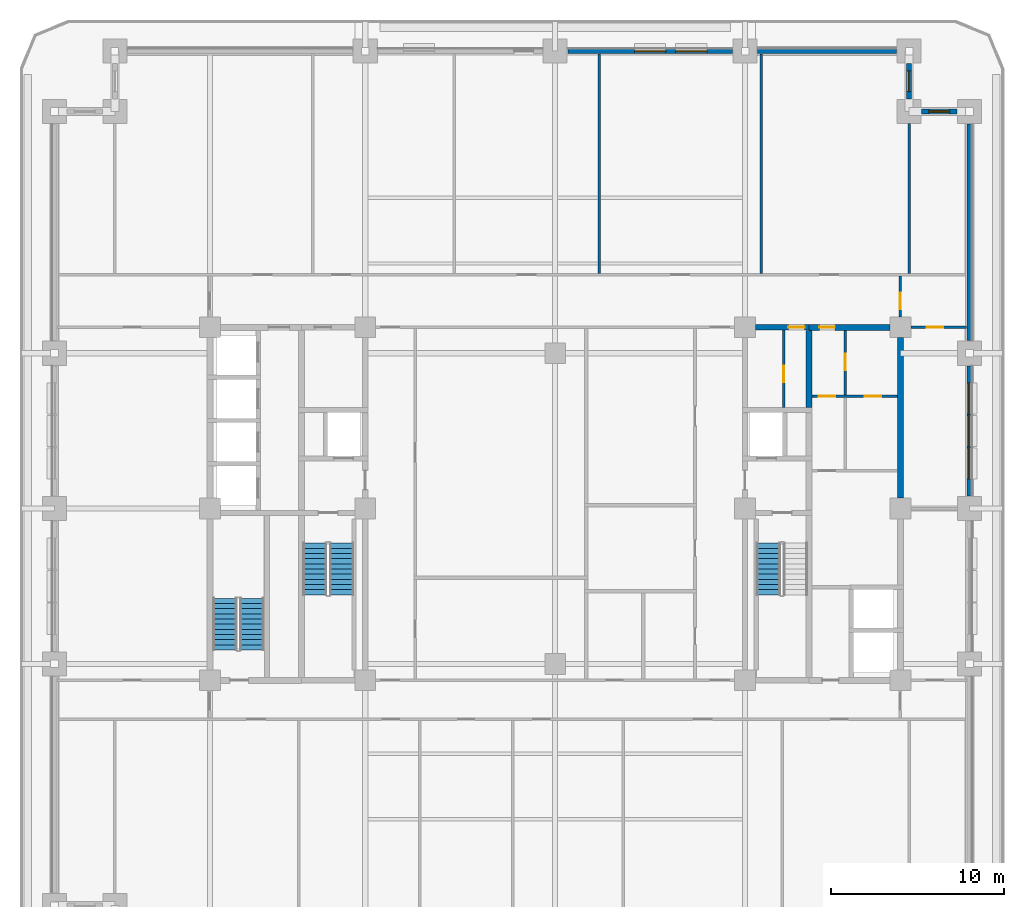
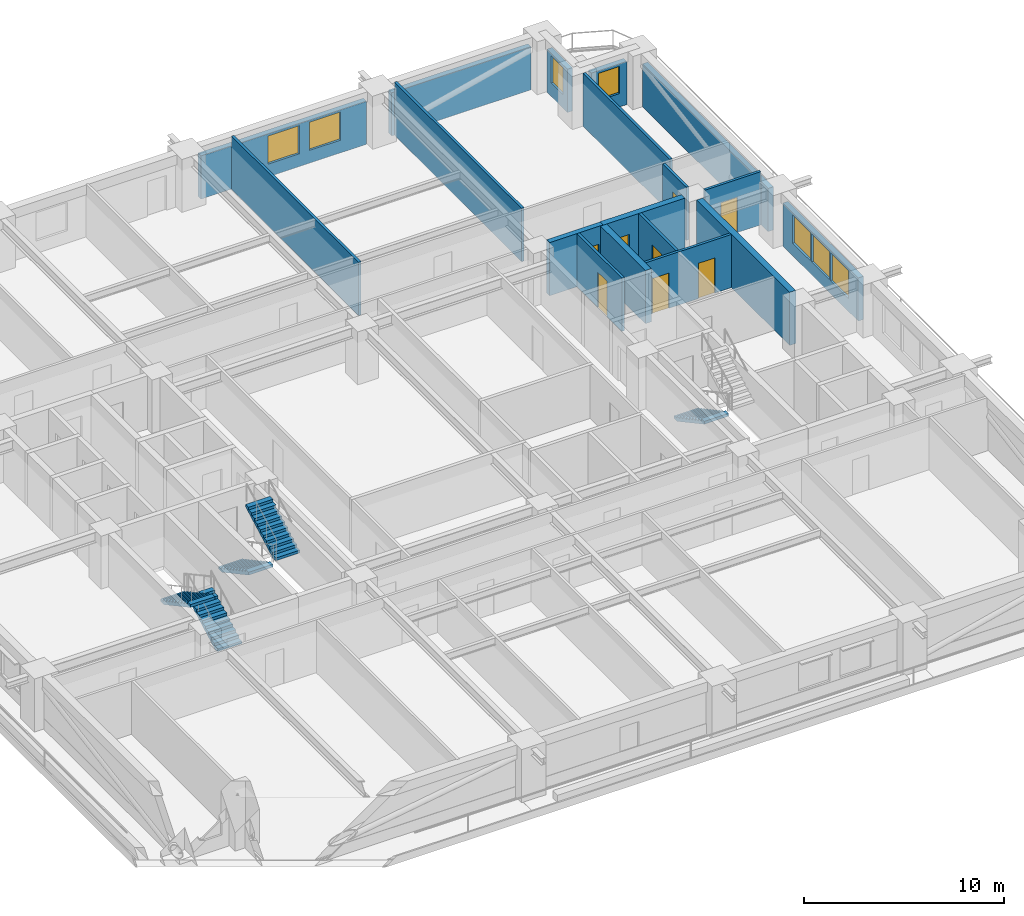
# One storey, part 6 of 16: 18 walls, 8 doors, 7 windows, 5 stair flights, 15 openings, 3 elements without a shape of their own.
"""IFC4 building model written with IfcOpenShell, lengths in metres."""

from ifc_helpers import new_model, si_unit, direction, frame, frame_2d, origin, place, context, subcontext, project, spatial, polyline, rectangle, outline, extrude, material, layer, layer_set, type_object, element, fill, aggregate, save


model = new_model("IFC4")

# Units and contexts
model_context = context("Model", 3, precision=1e-05, world=origin(), true_north=direction((0.0, 1.0)))
body_context = subcontext(model_context, "Body", "Model", "MODEL_VIEW")
ifc_project = project(units=[si_unit("LENGTHUNIT", "METRE"), si_unit("AREAUNIT", "SQUARE_METRE"), si_unit("VOLUMEUNIT", "CUBIC_METRE"), si_unit("PLANEANGLEUNIT", "RADIAN"), si_unit("MASSUNIT", "GRAM", prefix="KILO")], contexts=[model_context])

# Site, building, storey
site_placement = place(None, origin())
site = spatial("IfcSite", under=ifc_project, at=site_placement, CompositionType="ELEMENT")
building_placement = place(site_placement, origin())
building = spatial("IfcBuilding", under=site, at=building_placement, Name="Zulmaris Gate Convention Tower", CompositionType="ELEMENT")
storey_placement = place(building_placement, frame((0.0, 0.0, 67.89990234375)))
storey = spatial("IfcBuildingStorey", under=building, at=storey_placement, Name="L16", CompositionType="ELEMENT", Elevation=67.89990234375)

# Wall, opening, door
ifc_material_1 = material(Name="Concrete C50/60", Category="concrete")
ifc_layer_1 = layer(ifc_material_1, 0.300048828125, Name="Concrete C50/60")
ifc_layer_set_1 = layer_set([ifc_layer_1], Name="Concrete C50/60")
wall_type_1 = type_object("IfcWallType", Name="CORE-300", PredefinedType="SHEAR", material=ifc_layer_set_1)
wall_1_placement = place(storey_placement, frame((11.60400390625, 10.5, 0.0), z_axis=(0.0, 0.0, 1.0), x_axis=(1.0, 0.0, 0.0)))
wall_1 = element("IfcWall", 1, at=wall_1_placement, inside=storey, type_object=wall_type_1, Name="WL-L16-018", PredefinedType="SHEAR", context=body_context, shape_type="SweptSolid", body=[
    extrude(rectangle(XDim=3.095947265625, YDim=0.300048828125, at=frame_2d((1.5478515625, 0.0))), origin(), (0.0, 0.0, 1.0), 3.2451171875),
])
opening_1_placement = place(wall_1_placement, frame((1.90087890625, 0.0, 0.0)))
opening_1 = element("IfcOpeningElement", 2, at=opening_1_placement, cuts=wall_1, Name="Opening D-11", PredefinedType="OPENING", context=body_context, shape_type="SweptSolid", body=[
    extrude(rectangle(XDim=0.949951171875, YDim=2.14990234375, at=frame_2d((0.47509765625, 1.074951171875))), frame((0.0, 0.16015625, 0.0), z_axis=(0.0, -1.0, 0.0), x_axis=(1.0, 0.0, 0.0)), (0.0, 0.0, 1.0), 0.320068359375),
])
ifc_material_2 = material(Name="Fire-Rated Timber", Category="wood")
door_type_1 = type_object("IfcDoorType", Name="DR-950-FD", OperationType="NOTDEFINED", PredefinedType="DOOR", material=ifc_material_2)
door_1_placement = place(opening_1_placement, origin())
door_1 = element("IfcDoor", 3, at=door_1_placement, inside=storey, type_object=door_type_1, Name="L16 Core Linen Closet Door 08", OperationType="SINGLE_SWING_LEFT", OverallHeight=2.14990234375, OverallWidth=0.949951171875, PredefinedType="DOOR", context=body_context, shape_type="SweptSolid", body=[
    extrude(rectangle(XDim=0.949951171875, YDim=2.14990234375, at=frame_2d((0.47509765625, 1.074951171875))), frame((0.0, 0.02490234375, 0.0), z_axis=(0.0, -1.0, 0.0), x_axis=(1.0, 0.0, 0.0)), (0.0, 0.0, 1.0), 0.050048828125),
])
fill(opening_1, door_1)

ifc_material_3 = material(Name="Concrete C55/67", Category="concrete")
ifc_layer_2 = layer(ifc_material_3, 0.35009765625, Name="Concrete C55/67")
ifc_layer_set_2 = layer_set([ifc_layer_2], Name="Concrete C55/67")
wall_type_2 = type_object("IfcWallType", Name="CORE-350", PredefinedType="SHEAR", material=ifc_layer_set_2)
wall_2_placement = place(storey_placement, frame((14.699951171875, 10.5, 0.0), z_axis=(0.0, 0.0, 1.0), x_axis=(1.0, 0.0, 0.0)))
wall_2 = element("IfcWall", 4, at=wall_2_placement, inside=storey, type_object=wall_type_2, Name="WL-L16-019", PredefinedType="SHEAR", context=body_context, shape_type="SweptSolid", body=[
    extrude(rectangle(XDim=4.696044921875, YDim=0.35009765625, at=frame_2d((2.34814453125, 0.0))), origin(), (0.0, 0.0, 1.0), 3.2451171875),
])
opening_2_placement = place(wall_2_placement, frame((0.60009765625, 0.0, 0.0)))
opening_2 = element("IfcOpeningElement", 5, at=opening_2_placement, cuts=wall_2, Name="Opening D-12", PredefinedType="OPENING", context=body_context, shape_type="SweptSolid", body=[
    extrude(rectangle(XDim=0.89990234375, YDim=2.14990234375, at=frame_2d((0.449951171875, 1.074951171875))), frame((0.0, 0.18505859375, 0.0), z_axis=(0.0, -1.0, 0.0), x_axis=(1.0, 0.0, 0.0)), (0.0, 0.0, 1.0), 0.3701171875),
])
door_type_2 = type_object("IfcDoorType", Name="DR-900-FD", OperationType="NOTDEFINED", PredefinedType="DOOR", material=ifc_material_2)
door_2_placement = place(opening_2_placement, origin())
door_2 = element("IfcDoor", 6, at=door_2_placement, inside=storey, type_object=door_type_2, Name="L16 East Service Passage Door 17", OperationType="SINGLE_SWING_RIGHT", OverallHeight=2.14990234375, OverallWidth=0.89990234375, PredefinedType="DOOR", context=body_context, shape_type="SweptSolid", body=[
    extrude(rectangle(XDim=0.89990234375, YDim=2.14990234375, at=frame_2d((0.449951171875, 1.074951171875))), frame((0.0, 0.02490234375, 0.0), z_axis=(0.0, -1.0, 0.0), x_axis=(1.0, 0.0, 0.0)), (0.0, 0.0, 1.0), 0.050048828125),
])
fill(opening_2, door_2)

# Walls
wall_3_placement = place(storey_placement, frame((14.699951171875, 5.85205078125, 0.0), z_axis=(0.0, 0.0, 1.0), x_axis=(0.0, 1.0, 0.0)))
element("IfcWall", 7, at=wall_3_placement, inside=storey, type_object=wall_type_2, Name="WL-L16-064", PredefinedType="SHEAR", context=body_context, shape_type="SweptSolid", body=[
    extrude(rectangle(XDim=4.470947265625, YDim=0.35009765625, at=frame_2d((2.2353515625, 0.0))), origin(), (0.0, 0.0, 1.0), 3.2451171875),
])
wall_4_placement = place(storey_placement, frame((20.0, 0.60400390625, 0.0), z_axis=(0.0, 0.0, 1.0), x_axis=(0.0, 1.0, 0.0)))
element("IfcWall", 8, at=wall_4_placement, inside=storey, type_object=wall_type_2, Name="WL-L16-069S1", PredefinedType="SHEAR", context=body_context, shape_type="SweptSolid", body=[
    extrude(rectangle(XDim=9.2919921875, YDim=0.35009765625, at=frame_2d((4.64599609375, 0.0))), origin(), (0.0, 0.0, 1.0), 3.2451171875),
])

# Wall, openings, doors
ifc_material_4 = material(Name="Gypsum Metal Stud Partition")
ifc_layer_3 = layer(ifc_material_4, 0.14990234375, Name="Gypsum Metal Stud Partition")
ifc_layer_set_3 = layer_set([ifc_layer_3], Name="Gypsum Metal Stud Partition")
wall_type_3 = type_object("IfcWallType", Name="PART-150", PredefinedType="PARTITIONING", material=ifc_layer_set_3)
wall_5_placement = place(storey_placement, frame((14.8779296875, 6.5, 0.0), z_axis=(0.0, 0.0, 1.0), x_axis=(1.0, 0.0, 0.0)))
wall_5 = element("IfcWall", 9, at=wall_5_placement, inside=storey, type_object=wall_type_3, Name="WL-L16-030", PredefinedType="PARTITIONING", context=body_context, shape_type="SweptSolid", body=[
    extrude(rectangle(XDim=4.944091796875, YDim=0.14990234375, at=frame_2d((2.47216796875, 0.0))), origin(), (0.0, 0.0, 1.0), 3.2451171875),
])
opening_3_placement = place(wall_5_placement, frame((0.39697265625, 0.0, 0.0)))
opening_3 = element("IfcOpeningElement", 10, at=opening_3_placement, cuts=wall_5, Name="Opening D-11", PredefinedType="OPENING", context=body_context, shape_type="SweptSolid", body=[
    extrude(rectangle(XDim=0.949951171875, YDim=2.14990234375, at=frame_2d((0.47509765625, 1.074951171875))), frame((0.0, 0.0849609375, 0.0), z_axis=(0.0, -1.0, 0.0), x_axis=(1.0, 0.0, 0.0)), (0.0, 0.0, 1.0), 0.169921875),
])
opening_4_placement = place(wall_5_placement, frame((3.047119140625, 0.0, 0.0)))
opening_4 = element("IfcOpeningElement", 11, at=opening_4_placement, cuts=wall_5, Name="Opening D-11", PredefinedType="OPENING", context=body_context, shape_type="SweptSolid", body=[
    extrude(rectangle(XDim=0.949951171875, YDim=2.14990234375, at=frame_2d((0.47509765625, 1.074951171875))), frame((0.0, 0.0849609375, 0.0), z_axis=(0.0, -1.0, 0.0), x_axis=(1.0, 0.0, 0.0)), (0.0, 0.0, 1.0), 0.169921875),
])
door_3_placement = place(opening_3_placement, origin())
door_3 = element("IfcDoor", 12, at=door_3_placement, inside=storey, type_object=door_type_1, Name="L16 East Staff WC Door 18", OperationType="SINGLE_SWING_LEFT", OverallHeight=2.14990234375, OverallWidth=0.949951171875, PredefinedType="DOOR", context=body_context, shape_type="SweptSolid", body=[
    extrude(rectangle(XDim=0.949951171875, YDim=2.14990234375, at=frame_2d((0.47509765625, 1.074951171875))), frame((0.0, 0.02490234375, 0.0), z_axis=(0.0, -1.0, 0.0), x_axis=(1.0, 0.0, 0.0)), (0.0, 0.0, 1.0), 0.050048828125),
])
fill(opening_3, door_3)
door_4_placement = place(opening_4_placement, origin())
door_4 = element("IfcDoor", 13, at=door_4_placement, inside=storey, type_object=door_type_1, Name="L16 East Catering Store Door 21", OperationType="SINGLE_SWING_RIGHT", OverallHeight=2.14990234375, OverallWidth=0.949951171875, PredefinedType="DOOR", context=body_context, shape_type="SweptSolid", body=[
    extrude(rectangle(XDim=0.949951171875, YDim=2.14990234375, at=frame_2d((0.47509765625, 1.074951171875))), frame((0.0, 0.02490234375, 0.0), z_axis=(0.0, -1.0, 0.0), x_axis=(1.0, 0.0, 0.0)), (0.0, 0.0, 1.0), 0.050048828125),
])
fill(opening_4, door_4)

# Wall, opening, door
wall_6_placement = place(storey_placement, frame((20.60595703125, 10.5, 0.0), z_axis=(0.0, 0.0, 1.0), x_axis=(1.0, 0.0, 0.0)))
wall_6 = element("IfcWall", 14, at=wall_6_placement, inside=storey, type_object=wall_type_3, Name="WL-L16-033", PredefinedType="PARTITIONING", context=body_context, shape_type="SweptSolid", body=[
    extrude(rectangle(XDim=3.22900390625, YDim=0.14990234375, at=frame_2d((1.614501953125, 0.0))), origin(), (0.0, 0.0, 1.0), 3.2451171875),
])
opening_5_placement = place(wall_6_placement, frame((0.9189453125, 0.0, 0.0)))
opening_5 = element("IfcOpeningElement", 15, at=opening_5_placement, cuts=wall_6, Name="Opening D-11", PredefinedType="OPENING", context=body_context, shape_type="SweptSolid", body=[
    extrude(rectangle(XDim=0.949951171875, YDim=2.14990234375, at=frame_2d((0.47509765625, 1.074951171875))), frame((0.0, 0.0849609375, 0.0), z_axis=(0.0, -1.0, 0.0), x_axis=(1.0, 0.0, 0.0)), (0.0, 0.0, 1.0), 0.169921875),
])
door_5_placement = place(opening_5_placement, origin())
door_5 = element("IfcDoor", 16, at=door_5_placement, inside=storey, type_object=door_type_1, Name="L16 NE Partner Door 49", OperationType="SINGLE_SWING_RIGHT", OverallHeight=2.14990234375, OverallWidth=0.949951171875, PredefinedType="DOOR", context=body_context, shape_type="SweptSolid", body=[
    extrude(rectangle(XDim=0.949951171875, YDim=2.14990234375, at=frame_2d((0.47509765625, 1.074951171875))), frame((0.0, 0.02490234375, 0.0), z_axis=(0.0, -1.0, 0.0), x_axis=(1.0, 0.0, 0.0)), (0.0, 0.0, 1.0), 0.050048828125),
])
fill(opening_5, door_5)

# Walls
for number, where, z_axis, x_axis, name in (
    (17, (2.550048828125, 13.6279296875, 0.0), (0.0, 0.0, 1.0), (0.0, 1.0, 0.0), "WL-L16-085"),
    (18, (11.949951171875, 13.6279296875, 0.0), (0.0, 0.0, 1.0), (0.0, 1.0, 0.0), "WL-L16-091"),
):
    element("IfcWall", number, at=place(storey_placement, frame(where, z_axis=z_axis, x_axis=x_axis)), inside=storey, type_object=wall_type_3, Name=name, PredefinedType="PARTITIONING", context=body_context, shape_type="SweptSolid", body=[
        extrude(rectangle(XDim=12.70703125, YDim=0.14990234375, at=frame_2d((6.353515625, 0.0))), origin(), (0.0, 0.0, 1.0), 3.2451171875),
    ])

# Wall, opening, door
wall_7_placement = place(storey_placement, frame((13.25, 5.85302734375, 0.0), z_axis=(0.0, 0.0, 1.0), x_axis=(0.0, 1.0, 0.0)))
wall_7 = element("IfcWall", 19, at=wall_7_placement, inside=storey, type_object=wall_type_3, Name="WL-L16-093", PredefinedType="PARTITIONING", context=body_context, shape_type="SweptSolid", body=[
    extrude(rectangle(XDim=4.493896484375, YDim=0.14990234375, at=frame_2d((2.2470703125, 0.0))), origin(), (0.0, 0.0, 1.0), 3.2451171875),
])
opening_6_placement = place(wall_7_placement, frame((1.471923828125, 0.0, 0.0)))
opening_6 = element("IfcOpeningElement", 20, at=opening_6_placement, cuts=wall_7, Name="Opening D-11", PredefinedType="OPENING", context=body_context, shape_type="SweptSolid", body=[
    extrude(rectangle(XDim=0.949951171875, YDim=2.14990234375, at=frame_2d((0.47509765625, 1.074951171875))), frame((0.0, 0.0849609375, 0.0), z_axis=(0.0, -1.0, 0.0), x_axis=(1.0, 0.0, 0.0)), (0.0, 0.0, 1.0), 0.169921875),
])
door_6_placement = place(opening_6_placement, origin())
door_6 = element("IfcDoor", 21, at=door_6_placement, inside=storey, type_object=door_type_1, Name="L16 Core Service Pantry Door 09", OperationType="SINGLE_SWING_RIGHT", OverallHeight=2.14990234375, OverallWidth=0.949951171875, PredefinedType="DOOR", context=body_context, shape_type="SweptSolid", body=[
    extrude(rectangle(XDim=0.949951171875, YDim=2.14990234375, at=frame_2d((0.47509765625, 1.074951171875))), frame((0.0, 0.02490234375, 0.0), z_axis=(0.0, -1.0, 0.0), x_axis=(1.0, 0.0, 0.0)), (0.0, 0.0, 1.0), 0.050048828125),
])
fill(opening_6, door_6)

wall_8_placement = place(storey_placement, frame((16.800048828125, 6.577880859375, 0.0), z_axis=(0.0, 0.0, 1.0), x_axis=(0.0, 1.0, 0.0)))
wall_8 = element("IfcWall", 22, at=wall_8_placement, inside=storey, type_object=wall_type_3, Name="WL-L16-095", PredefinedType="PARTITIONING", context=body_context, shape_type="SweptSolid", body=[
    extrude(rectangle(XDim=3.744140625, YDim=0.14990234375, at=frame_2d((1.8720703125, 0.0))), origin(), (0.0, 0.0, 1.0), 3.2451171875),
])
opening_7_placement = place(wall_8_placement, frame((1.447021484375, 0.0, 0.0)))
opening_7 = element("IfcOpeningElement", 23, at=opening_7_placement, cuts=wall_8, Name="Opening D-11", PredefinedType="OPENING", context=body_context, shape_type="SweptSolid", body=[
    extrude(rectangle(XDim=0.949951171875, YDim=2.14990234375, at=frame_2d((0.47509765625, 1.074951171875))), frame((0.0, 0.0849609375, 0.0), z_axis=(0.0, -1.0, 0.0), x_axis=(1.0, 0.0, 0.0)), (0.0, 0.0, 1.0), 0.169921875),
])
door_7_placement = place(opening_7_placement, origin())
door_7 = element("IfcDoor", 24, at=door_7_placement, inside=storey, type_object=door_type_1, Name="L16 East Vending Pantry Door 20", OperationType="SINGLE_SWING_LEFT", OverallHeight=2.14990234375, OverallWidth=0.949951171875, PredefinedType="DOOR", context=body_context, shape_type="SweptSolid", body=[
    extrude(rectangle(XDim=0.949951171875, YDim=2.14990234375, at=frame_2d((0.47509765625, 1.074951171875))), frame((0.0, 0.02490234375, 0.0), z_axis=(0.0, -1.0, 0.0), x_axis=(1.0, 0.0, 0.0)), (0.0, 0.0, 1.0), 0.050048828125),
])
fill(opening_7, door_7)

wall_9_placement = place(storey_placement, frame((20.0, 11.10595703125, 0.0), z_axis=(0.0, 0.0, 1.0), x_axis=(0.0, 1.0, 0.0)))
wall_9 = element("IfcWall", 25, at=wall_9_placement, inside=storey, type_object=wall_type_3, Name="WL-L16-097", PredefinedType="PARTITIONING", context=body_context, shape_type="SweptSolid", body=[
    extrude(rectangle(XDim=2.365966796875, YDim=0.14990234375, at=frame_2d((1.18310546875, 0.0))), origin(), (0.0, 0.0, 1.0), 3.2451171875),
])
opening_8_placement = place(wall_9_placement, frame((0.448974609375, 0.0, 0.0)))
opening_8 = element("IfcOpeningElement", 26, at=opening_8_placement, cuts=wall_9, Name="Opening D-11", PredefinedType="OPENING", context=body_context, shape_type="SweptSolid", body=[
    extrude(rectangle(XDim=0.949951171875, YDim=2.14990234375, at=frame_2d((0.47509765625, 1.074951171875))), frame((0.0, 0.0849609375, 0.0), z_axis=(0.0, -1.0, 0.0), x_axis=(1.0, 0.0, 0.0)), (0.0, 0.0, 1.0), 0.169921875),
])
door_8_placement = place(opening_8_placement, origin())
door_8 = element("IfcDoor", 27, at=door_8_placement, inside=storey, type_object=door_type_1, Name="L16 NE Spur Door 47", OperationType="SINGLE_SWING_RIGHT", OverallHeight=2.14990234375, OverallWidth=0.949951171875, PredefinedType="DOOR", context=body_context, shape_type="SweptSolid", body=[
    extrude(rectangle(XDim=0.949951171875, YDim=2.14990234375, at=frame_2d((0.47509765625, 1.074951171875))), frame((0.0, 0.02490234375, 0.0), z_axis=(0.0, -1.0, 0.0), x_axis=(1.0, 0.0, 0.0)), (0.0, 0.0, 1.0), 0.050048828125),
])
fill(opening_8, door_8)

# Wall
wall_10_placement = place(storey_placement, frame((20.5, 13.6279296875, 0.0), z_axis=(0.0, 0.0, 1.0), x_axis=(0.0, 1.0, 0.0)))
element("IfcWall", 28, at=wall_10_placement, inside=storey, type_object=wall_type_3, Name="WL-L16-099", PredefinedType="PARTITIONING", context=body_context, shape_type="SweptSolid", body=[
    extrude(rectangle(XDim=8.666015625, YDim=0.14990234375, at=frame_2d((4.3330078125, 0.0))), origin(), (0.0, 0.0, 1.0), 3.2451171875),
])

# Wall, opening, window
ifc_material_5 = material(Name="Precast concrete C40/50", Category="concrete")
ifc_layer_4 = layer(ifc_material_5, 0.300048828125, Name="Precast concrete C40/50")
ifc_layer_set_4 = layer_set([ifc_layer_4], Name="Precast concrete C40/50")
wall_type_4 = type_object("IfcWallType", Name="PRECAST-PIER-300", PredefinedType="STANDARD", material=ifc_layer_set_4)
wall_11_placement = place(storey_placement, frame((23.27001953125, 23.0, 0.0), z_axis=(0.0, 0.0, 1.0), x_axis=(-1.0, 0.0, 0.0)))
wall_11 = element("IfcWall", 29, at=wall_11_placement, inside=storey, type_object=wall_type_4, Name="EW-L16-NOTCH-NE1_0", PredefinedType="STANDARD", context=body_context, shape_type="SweptSolid", body=[
    extrude(rectangle(XDim=2.0400390625, YDim=0.300048828125, at=frame_2d((1.02001953125, 0.0))), origin(), (0.0, 0.0, 1.0), 2.63720703125),
])
opening_9_placement = place(wall_11_placement, frame((0.419921875, 0.0, 0.820068359375)))
opening_9 = element("IfcOpeningElement", 30, at=opening_9_placement, cuts=wall_11, Name="Opening W-04", PredefinedType="OPENING", context=body_context, shape_type="SweptSolid", body=[
    extrude(rectangle(XDim=1.199951171875, YDim=1.64990234375, at=frame_2d((0.60009765625, 0.824951171875))), frame((0.0, 0.16015625, 0.0), z_axis=(0.0, -1.0, 0.0), x_axis=(1.0, 0.0, 0.0)), (0.0, 0.0, 1.0), 0.320068359375),
])
ifc_material_6 = material(Name="Low-E Laminated Double Glazing in Aluminium Frame", Category="aluminium")
window_type_1 = type_object("IfcWindowType", Name="WIN-1200x2100", PartitioningType="SINGLE_PANEL", PredefinedType="WINDOW", material=ifc_material_6)
window_1_placement = place(opening_9_placement, origin())
window_1 = element("IfcWindow", 31, at=window_1_placement, inside=storey, type_object=window_type_1, Name="WN-EW-L16-NOTCH-NE1_0", OverallHeight=1.64990234375, OverallWidth=1.199951171875, PartitioningType="SINGLE_PANEL", PredefinedType="WINDOW", context=body_context, shape_type="SweptSolid", body=[
    extrude(rectangle(XDim=1.199951171875, YDim=1.64990234375, at=frame_2d((0.60009765625, 0.824951171875))), frame((0.0, 0.030029296875, 0.0), z_axis=(0.0, -1.0, 0.0), x_axis=(1.0, 0.0, 0.0)), (0.0, 0.0, 1.0), 0.06005859375),
])
fill(opening_9, window_1)

wall_12_placement = place(storey_placement, frame((20.5, 23.72998046875, 0.0), z_axis=(0.0, 0.0, 1.0), x_axis=(0.0, 1.0, 0.0)))
wall_12 = element("IfcWall", 32, at=wall_12_placement, inside=storey, type_object=wall_type_4, Name="EW-L16-NOTCH-NE2_0", PredefinedType="STANDARD", context=body_context, shape_type="SweptSolid", body=[
    extrude(rectangle(XDim=2.0400390625, YDim=0.300048828125, at=frame_2d((1.02001953125, 0.0))), origin(), (0.0, 0.0, 1.0), 2.63720703125),
])
opening_10_placement = place(wall_12_placement, frame((0.419921875, 0.0, 0.820068359375)))
opening_10 = element("IfcOpeningElement", 33, at=opening_10_placement, cuts=wall_12, Name="Opening W-04", PredefinedType="OPENING", context=body_context, shape_type="SweptSolid", body=[
    extrude(rectangle(XDim=1.199951171875, YDim=1.64990234375, at=frame_2d((0.60009765625, 0.824951171875))), frame((0.0, 0.16015625, 0.0), z_axis=(0.0, -1.0, 0.0), x_axis=(1.0, 0.0, 0.0)), (0.0, 0.0, 1.0), 0.320068359375),
])
window_2_placement = place(opening_10_placement, origin())
window_2 = element("IfcWindow", 34, at=window_2_placement, inside=storey, type_object=window_type_1, Name="WN-EW-L16-NOTCH-NE2_0", OverallHeight=1.64990234375, OverallWidth=1.199951171875, PartitioningType="SINGLE_PANEL", PredefinedType="WINDOW", context=body_context, shape_type="SweptSolid", body=[
    extrude(rectangle(XDim=1.199951171875, YDim=1.64990234375, at=frame_2d((0.60009765625, 0.824951171875))), frame((0.0, 0.030029296875, 0.0), z_axis=(0.0, -1.0, 0.0), x_axis=(1.0, 0.0, 0.0)), (0.0, 0.0, 1.0), 0.06005859375),
])
fill(opening_10, window_2)

# Wall, openings, windows
wall_13_placement = place(storey_placement, frame((10.27001953125, 26.5, 0.0), z_axis=(0.0, 0.0, 1.0), x_axis=(-1.0, 0.0, 0.0)))
wall_13 = element("IfcWall", 35, at=wall_13_placement, inside=storey, type_object=wall_type_4, Name="EW-L16-N-2_0", PredefinedType="STANDARD", context=body_context, shape_type="SweptSolid", body=[
    extrude(rectangle(XDim=9.5400390625, YDim=0.300048828125, at=frame_2d((4.77001953125, 0.0))), origin(), (0.0, 0.0, 1.0), 2.63720703125),
])
opening_11_placement = place(wall_13_placement, frame((1.485107421875, 0.0, 0.780029296875)))
opening_11 = element("IfcOpeningElement", 36, at=opening_11_placement, cuts=wall_13, Name="Opening W-02", PredefinedType="OPENING", context=body_context, shape_type="SweptSolid", body=[
    extrude(rectangle(XDim=1.800048828125, YDim=1.719970703125, at=frame_2d((0.89990234375, 0.85986328125))), frame((0.0, 0.16015625, 0.0), z_axis=(0.0, -1.0, 0.0), x_axis=(1.0, 0.0, 0.0)), (0.0, 0.0, 1.0), 0.320068359375),
])
opening_12_placement = place(wall_13_placement, frame((3.8701171875, 0.0, 0.780029296875)))
opening_12 = element("IfcOpeningElement", 37, at=opening_12_placement, cuts=wall_13, Name="Opening W-02", PredefinedType="OPENING", context=body_context, shape_type="SweptSolid", body=[
    extrude(rectangle(XDim=1.800048828125, YDim=1.719970703125, at=frame_2d((0.89990234375, 0.85986328125))), frame((0.0, 0.16015625, 0.0), z_axis=(0.0, -1.0, 0.0), x_axis=(1.0, 0.0, 0.0)), (0.0, 0.0, 1.0), 0.320068359375),
])
window_type_2 = type_object("IfcWindowType", Name="WIN-1800x2200", PartitioningType="SINGLE_PANEL", PredefinedType="WINDOW", material=ifc_material_6)
window_3_placement = place(opening_11_placement, origin())
window_3 = element("IfcWindow", 38, at=window_3_placement, inside=storey, type_object=window_type_2, Name="WN-EW-L16-N-2_0-1", OverallHeight=1.719970703125, OverallWidth=1.800048828125, PartitioningType="SINGLE_PANEL", PredefinedType="WINDOW", context=body_context, shape_type="SweptSolid", body=[
    extrude(rectangle(XDim=1.800048828125, YDim=1.719970703125, at=frame_2d((0.89990234375, 0.85986328125))), frame((0.0, 0.030029296875, 0.0), z_axis=(0.0, -1.0, 0.0), x_axis=(1.0, 0.0, 0.0)), (0.0, 0.0, 1.0), 0.06005859375),
])
fill(opening_11, window_3)
window_4_placement = place(opening_12_placement, origin())
window_4 = element("IfcWindow", 39, at=window_4_placement, inside=storey, type_object=window_type_2, Name="WN-EW-L16-N-2_0-2", OverallHeight=1.719970703125, OverallWidth=1.800048828125, PartitioningType="SINGLE_PANEL", PredefinedType="WINDOW", context=body_context, shape_type="SweptSolid", body=[
    extrude(rectangle(XDim=1.800048828125, YDim=1.719970703125, at=frame_2d((0.89990234375, 0.85986328125))), frame((0.0, 0.030029296875, 0.0), z_axis=(0.0, -1.0, 0.0), x_axis=(1.0, 0.0, 0.0)), (0.0, 0.0, 1.0), 0.06005859375),
])
fill(opening_12, window_4)

# Wall
wall_14_placement = place(storey_placement, frame((19.77001953125, 26.5, 0.0), z_axis=(0.0, 0.0, 1.0), x_axis=(-1.0, 0.0, 0.0)))
element("IfcWall", 40, at=wall_14_placement, inside=storey, type_object=wall_type_4, Name="EW-L16-N-3_0", PredefinedType="STANDARD", context=body_context, shape_type="SweptSolid", body=[
    extrude(rectangle(XDim=8.0400390625, YDim=0.300048828125, at=frame_2d((4.02001953125, 0.0))), origin(), (0.0, 0.0, 1.0), 2.63720703125),
])

# Wall, openings, windows
wall_15_placement = place(storey_placement, frame((24.0, 0.72998046875, 0.0), z_axis=(0.0, 0.0, 1.0), x_axis=(0.0, 1.0, 0.0)))
wall_15 = element("IfcWall", 41, at=wall_15_placement, inside=storey, type_object=wall_type_4, Name="EW-L16-E-2_0", PredefinedType="STANDARD", context=body_context, shape_type="SweptSolid", body=[
    extrude(rectangle(XDim=7.5400390625, YDim=0.300048828125, at=frame_2d((3.77001953125, 0.0))), origin(), (0.0, 0.0, 1.0), 2.63720703125),
])
opening_13_placement = place(wall_15_placement, frame((0.985107421875, 0.0, 0.780029296875)))
opening_13 = element("IfcOpeningElement", 42, at=opening_13_placement, cuts=wall_15, Name="Opening W-02", PredefinedType="OPENING", context=body_context, shape_type="SweptSolid", body=[
    extrude(rectangle(XDim=1.800048828125, YDim=1.719970703125, at=frame_2d((0.89990234375, 0.85986328125))), frame((0.0, 0.16015625, 0.0), z_axis=(0.0, -1.0, 0.0), x_axis=(1.0, 0.0, 0.0)), (0.0, 0.0, 1.0), 0.320068359375),
])
opening_14_placement = place(wall_15_placement, frame((2.8701171875, 0.0, 0.780029296875)))
opening_14 = element("IfcOpeningElement", 43, at=opening_14_placement, cuts=wall_15, Name="Opening W-02", PredefinedType="OPENING", context=body_context, shape_type="SweptSolid", body=[
    extrude(rectangle(XDim=1.800048828125, YDim=1.719970703125, at=frame_2d((0.89990234375, 0.85986328125))), frame((0.0, 0.16015625, 0.0), z_axis=(0.0, -1.0, 0.0), x_axis=(1.0, 0.0, 0.0)), (0.0, 0.0, 1.0), 0.320068359375),
])
opening_15_placement = place(wall_15_placement, frame((4.7548828125, 0.0, 0.780029296875)))
opening_15 = element("IfcOpeningElement", 44, at=opening_15_placement, cuts=wall_15, Name="Opening W-02", PredefinedType="OPENING", context=body_context, shape_type="SweptSolid", body=[
    extrude(rectangle(XDim=1.800048828125, YDim=1.719970703125, at=frame_2d((0.89990234375, 0.85986328125))), frame((0.0, 0.16015625, 0.0), z_axis=(0.0, -1.0, 0.0), x_axis=(1.0, 0.0, 0.0)), (0.0, 0.0, 1.0), 0.320068359375),
])
window_5_placement = place(opening_13_placement, origin())
window_5 = element("IfcWindow", 45, at=window_5_placement, inside=storey, type_object=window_type_2, Name="WN-EW-L16-E-2_0-1", OverallHeight=1.719970703125, OverallWidth=1.800048828125, PartitioningType="SINGLE_PANEL", PredefinedType="WINDOW", context=body_context, shape_type="SweptSolid", body=[
    extrude(rectangle(XDim=1.800048828125, YDim=1.719970703125, at=frame_2d((0.89990234375, 0.85986328125))), frame((0.0, 0.030029296875, 0.0), z_axis=(0.0, -1.0, 0.0), x_axis=(1.0, 0.0, 0.0)), (0.0, 0.0, 1.0), 0.06005859375),
])
fill(opening_13, window_5)
window_6_placement = place(opening_14_placement, origin())
window_6 = element("IfcWindow", 46, at=window_6_placement, inside=storey, type_object=window_type_2, Name="WN-EW-L16-E-2_0-2", OverallHeight=1.719970703125, OverallWidth=1.800048828125, PartitioningType="SINGLE_PANEL", PredefinedType="WINDOW", context=body_context, shape_type="SweptSolid", body=[
    extrude(rectangle(XDim=1.800048828125, YDim=1.719970703125, at=frame_2d((0.89990234375, 0.85986328125))), frame((0.0, 0.030029296875, 0.0), z_axis=(0.0, -1.0, 0.0), x_axis=(1.0, 0.0, 0.0)), (0.0, 0.0, 1.0), 0.06005859375),
])
fill(opening_14, window_6)
window_7_placement = place(opening_15_placement, origin())
window_7 = element("IfcWindow", 47, at=window_7_placement, inside=storey, type_object=window_type_2, Name="WN-EW-L16-E-2_0-3", OverallHeight=1.719970703125, OverallWidth=1.800048828125, PartitioningType="SINGLE_PANEL", PredefinedType="WINDOW", context=body_context, shape_type="SweptSolid", body=[
    extrude(rectangle(XDim=1.800048828125, YDim=1.719970703125, at=frame_2d((0.89990234375, 0.85986328125))), frame((0.0, 0.030029296875, 0.0), z_axis=(0.0, -1.0, 0.0), x_axis=(1.0, 0.0, 0.0)), (0.0, 0.0, 1.0), 0.06005859375),
])
fill(opening_15, window_7)

# Wall
wall_16_placement = place(storey_placement, frame((24.0, 9.72998046875, 0.0), z_axis=(0.0, 0.0, 1.0), x_axis=(0.0, 1.0, 0.0)))
element("IfcWall", 48, at=wall_16_placement, inside=storey, type_object=wall_type_4, Name="EW-L16-E-3_0", PredefinedType="STANDARD", context=body_context, shape_type="SweptSolid", body=[
    extrude(rectangle(XDim=12.5400390625, YDim=0.300048828125, at=frame_2d((6.27001953125, 0.0))), origin(), (0.0, 0.0, 1.0), 2.63720703125),
])

# Stair, stair flights
ifc_material_7 = material(Name="Concrete C45/55", Category="concrete")
stair_type = type_object("IfcStairType", Name="ST-CORE-DOGLEG", PredefinedType="HALF_TURN_STAIR", material=ifc_material_7)
stair_1_placement = place(storey_placement, origin())
stair_1 = element("IfcStair", 49, at=stair_1_placement, inside=storey, type_object=stair_type, Name="L16 Core Exit Stair ST-1", PredefinedType="HALF_TURN_STAIR")
ifc_layer_5 = layer(ifc_material_7, 0.14990234375, Name="Concrete C45/55")
ifc_layer_set_5 = layer_set([ifc_layer_5], Name="Concrete C45/55")
stair_flight_type = type_object("IfcStairFlightType", Name="STF-RC150", PredefinedType="STRAIGHT", material=ifc_layer_set_5)
stair_flight_1_placement = place(storey_placement, frame((-13.919921875, -2.0, 0.0), z_axis=(0.0, 0.0, 1.0), x_axis=(0.0, -1.0, 0.0)))
stair_flight_1 = element("IfcStairFlight", 50, at=stair_flight_1_placement, type_object=stair_flight_type, Name="ST-1 flight 1", NumberOfRisers=11, NumberOfTreads=10, PredefinedType="STRAIGHT", RiserHeight=0.162277273, TreadLength=0.3, context=body_context, shape_type="SweptSolid", body=[
    extrude(outline(polyline([(0.0, 0.0), (0.0, 0.162353515625), (0.300048828125, 0.162353515625), (0.300048828125, 0.324462890625), (0.60009765625, 0.324462890625), (0.60009765625, 0.48681640625), (0.89990234375, 0.48681640625), (0.89990234375, 0.649169921875), (1.199951171875, 0.649169921875), (1.199951171875, 0.811279296875), (1.5, 0.811279296875), (1.5, 0.9736328125), (1.800048828125, 0.9736328125), (1.800048828125, 1.135986328125), (2.10009765625, 1.135986328125), (2.10009765625, 1.29833984375), (2.39990234375, 1.29833984375), (2.39990234375, 1.46044921875), (2.699951171875, 1.46044921875), (2.699951171875, 1.622802734375), (3.0, 1.622802734375), (3.0, 1.78515625), (3.0, 1.452392578125), (0.315185546875, 0.0), (0.0, 0.0)])), frame((0.0, 0.699951171875, 0.0), z_axis=(0.0, -1.0, 0.0), x_axis=(1.0, 0.0, 0.0)), (0.0, 0.0, 1.0), 1.39990234375),
])
stair_flight_2_placement = place(storey_placement, frame((-12.360107421875, -5.0, 1.78515625), z_axis=(0.0, 0.0, 1.0), x_axis=(0.0, 1.0, 0.0)))
stair_flight_2 = element("IfcStairFlight", 51, at=stair_flight_2_placement, type_object=stair_flight_type, Name="ST-1 flight 2", NumberOfRisers=11, NumberOfTreads=10, PredefinedType="STRAIGHT", RiserHeight=0.162277273, TreadLength=0.3, context=body_context, shape_type="SweptSolid", body=[
    extrude(outline(polyline([(0.0, 0.0), (0.0, 0.162353515625), (0.300048828125, 0.162353515625), (0.300048828125, 0.324462890625), (0.60009765625, 0.324462890625), (0.60009765625, 0.48681640625), (0.89990234375, 0.48681640625), (0.89990234375, 0.649169921875), (1.199951171875, 0.649169921875), (1.199951171875, 0.811279296875), (1.5, 0.811279296875), (1.5, 0.9736328125), (1.800048828125, 0.9736328125), (1.800048828125, 1.135986328125), (2.10009765625, 1.135986328125), (2.10009765625, 1.29833984375), (2.39990234375, 1.29833984375), (2.39990234375, 1.46044921875), (2.699951171875, 1.46044921875), (2.699951171875, 1.622802734375), (3.0, 1.622802734375), (3.0, 1.78515625), (3.0, 1.452392578125), (0.315185546875, 0.0), (0.0, 0.0)])), frame((0.0, 0.699951171875, 0.0), z_axis=(0.0, -1.0, 0.0), x_axis=(1.0, 0.0, 0.0)), (0.0, 0.0, 1.0), 1.39990234375),
])
aggregate(stair_1, [stair_flight_1, stair_flight_2])

# Stair, stair flight
stair_2_placement = place(storey_placement, origin())
stair_2 = element("IfcStair", 52, at=stair_2_placement, inside=storey, type_object=stair_type, Name="L16 Core Exit Stair ST-2", PredefinedType="HALF_TURN_STAIR")
stair_flight_3_placement = place(storey_placement, frame((12.360107421875, -2.0, 0.0), z_axis=(0.0, 0.0, 1.0), x_axis=(0.0, -1.0, 0.0)))
stair_flight_3 = element("IfcStairFlight", 53, at=stair_flight_3_placement, type_object=stair_flight_type, Name="ST-2 flight 1", NumberOfRisers=11, NumberOfTreads=10, PredefinedType="STRAIGHT", RiserHeight=0.162277273, TreadLength=0.3, context=body_context, shape_type="SweptSolid", body=[
    extrude(outline(polyline([(0.0, 0.0), (0.0, 0.162353515625), (0.300048828125, 0.162353515625), (0.300048828125, 0.324462890625), (0.60009765625, 0.324462890625), (0.60009765625, 0.48681640625), (0.89990234375, 0.48681640625), (0.89990234375, 0.649169921875), (1.199951171875, 0.649169921875), (1.199951171875, 0.811279296875), (1.5, 0.811279296875), (1.5, 0.9736328125), (1.800048828125, 0.9736328125), (1.800048828125, 1.135986328125), (2.10009765625, 1.135986328125), (2.10009765625, 1.29833984375), (2.39990234375, 1.29833984375), (2.39990234375, 1.46044921875), (2.699951171875, 1.46044921875), (2.699951171875, 1.622802734375), (3.0, 1.622802734375), (3.0, 1.78515625), (3.0, 1.452392578125), (0.315185546875, 0.0), (0.0, 0.0)])), frame((0.0, 0.699951171875, 0.0), z_axis=(0.0, -1.0, 0.0), x_axis=(1.0, 0.0, 0.0)), (0.0, 0.0, 1.0), 1.39990234375),
])
aggregate(stair_2, [stair_flight_3])

# Stair, stair flights
stair_3_placement = place(storey_placement, origin())
stair_3 = element("IfcStair", 54, at=stair_3_placement, inside=storey, type_object=stair_type, Name="L16 Core Exit Stair ST-3", PredefinedType="HALF_TURN_STAIR")
stair_flight_4_placement = place(storey_placement, frame((-17.56005859375, -8.199951171875, 0.0), z_axis=(0.0, 0.0, 1.0), x_axis=(0.0, 1.0, 0.0)))
stair_flight_4 = element("IfcStairFlight", 55, at=stair_flight_4_placement, type_object=stair_flight_type, Name="ST-3 flight 1", NumberOfRisers=11, NumberOfTreads=10, PredefinedType="STRAIGHT", RiserHeight=0.162277273, TreadLength=0.3, context=body_context, shape_type="SweptSolid", body=[
    extrude(outline(polyline([(0.0, 0.0), (0.0, 0.162353515625), (0.300048828125, 0.162353515625), (0.300048828125, 0.324462890625), (0.60009765625, 0.324462890625), (0.60009765625, 0.48681640625), (0.89990234375, 0.48681640625), (0.89990234375, 0.649169921875), (1.199951171875, 0.649169921875), (1.199951171875, 0.811279296875), (1.5, 0.811279296875), (1.5, 0.9736328125), (1.800048828125, 0.9736328125), (1.800048828125, 1.135986328125), (2.10009765625, 1.135986328125), (2.10009765625, 1.29833984375), (2.39990234375, 1.29833984375), (2.39990234375, 1.46044921875), (2.699951171875, 1.46044921875), (2.699951171875, 1.622802734375), (3.0, 1.622802734375), (3.0, 1.78515625), (3.0, 1.452392578125), (0.315185546875, 0.0), (0.0, 0.0)])), frame((0.0, 0.699951171875, 0.0), z_axis=(0.0, -1.0, 0.0), x_axis=(1.0, 0.0, 0.0)), (0.0, 0.0, 1.0), 1.39990234375),
])
stair_flight_5_placement = place(storey_placement, frame((-19.1201171875, -5.199951171875, 1.78515625), z_axis=(0.0, 0.0, 1.0), x_axis=(0.0, -1.0, 0.0)))
stair_flight_5 = element("IfcStairFlight", 56, at=stair_flight_5_placement, type_object=stair_flight_type, Name="ST-3 flight 2", NumberOfRisers=11, NumberOfTreads=10, PredefinedType="STRAIGHT", RiserHeight=0.162277273, TreadLength=0.3, context=body_context, shape_type="SweptSolid", body=[
    extrude(outline(polyline([(0.0, 0.0), (0.0, 0.162353515625), (0.300048828125, 0.162353515625), (0.300048828125, 0.324462890625), (0.60009765625, 0.324462890625), (0.60009765625, 0.48681640625), (0.89990234375, 0.48681640625), (0.89990234375, 0.649169921875), (1.199951171875, 0.649169921875), (1.199951171875, 0.811279296875), (1.5, 0.811279296875), (1.5, 0.9736328125), (1.800048828125, 0.9736328125), (1.800048828125, 1.135986328125), (2.10009765625, 1.135986328125), (2.10009765625, 1.29833984375), (2.39990234375, 1.29833984375), (2.39990234375, 1.46044921875), (2.699951171875, 1.46044921875), (2.699951171875, 1.622802734375), (3.0, 1.622802734375), (3.0, 1.78515625), (3.0, 1.452392578125), (0.315185546875, 0.0), (0.0, 0.0)])), frame((0.0, 0.699951171875, 0.0), z_axis=(0.0, -1.0, 0.0), x_axis=(1.0, 0.0, 0.0)), (0.0, 0.0, 1.0), 1.39990234375),
])
aggregate(stair_3, [stair_flight_4, stair_flight_5])

save(model, "model.ifc")
